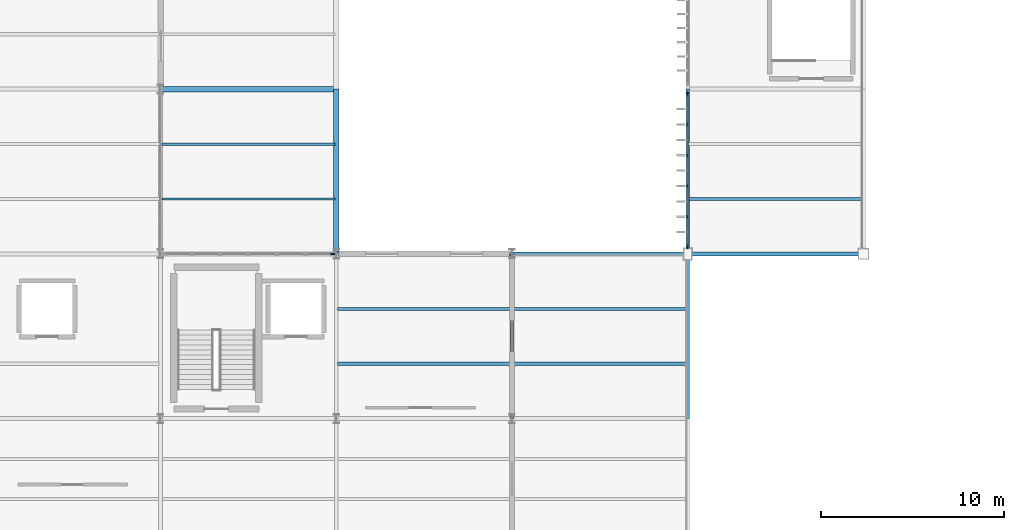
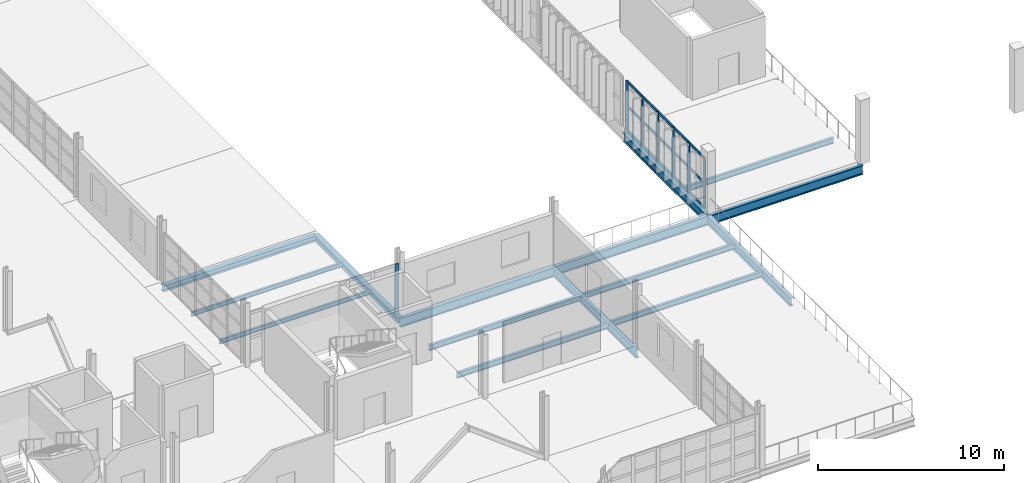
# One storey, part 18 of 82: 22 members, 15 beams, 2 elements without a shape of their own.
"""IFC4 building model written with IfcOpenShell, lengths in metres."""

import ifcopenshell
import ifcopenshell.guid

model = None  # the IFC model being written
_history = None  # IfcOwnerHistory: only IFC2X3 demands one
_inside = {}  # id of a spatial element -> (the spatial element, [elements in it])
_under = {}  # id of a project, library or spatial element -> (it, [spatial elements below it])
_declared = {}  # id of a project -> (the project, [libraries it declares])
_typed = {}  # id of a type object -> (the type object, [elements of that type])
_made_of = {}  # id of a material, layer set ... -> (it, [elements and type objects made of it])


def new_model(schema):
    """Start an empty IFC model of exactly this schema.

    Asked for "IFC4X3", IfcOpenShell would pick the latest addendum, in which some entities
    have other attributes; the version numbers below select the first issue.
    IFC2X3 requires an IfcOwnerHistory on every rooted entity: one is made here for all.
    """
    global model, _history
    if schema == "IFC4X3":
        model = ifcopenshell.file(schema_version=(4, 3, 0, 0))
    else:
        model = ifcopenshell.file(schema=schema)
    _inside.clear()
    _under.clear()
    _declared.clear()
    _typed.clear()
    _made_of.clear()
    _history = None
    if model.schema == "IFC2X3":
        org = make("IfcOrganization", Name="unknown")
        user = make(
            "IfcPersonAndOrganization",
            ThePerson=make("IfcPerson", FamilyName="unknown"),
            TheOrganization=org,
        )
        app = make(
            "IfcApplication",
            ApplicationDeveloper=org,
            Version="unknown",
            ApplicationFullName="unknown",
            ApplicationIdentifier="unknown",
        )
        _history = make(
            "IfcOwnerHistory",
            OwningUser=user,
            OwningApplication=app,
            ChangeAction="ADDED",
            CreationDate=0,
        )
    return model


def make(cls, **values):
    """One entity of the class cls with the attributes given. An attribute that is None is left unset."""
    return model.create_entity(
        cls, **{name: value for name, value in values.items() if value is not None}
    )


def rooted(cls, **values):
    """An entity with a GlobalId (a new one), such as an element, a storey or a relation."""
    return make(cls, GlobalId=ifcopenshell.guid.new(), OwnerHistory=_history, **values)


def si_unit(unit_type, name, prefix=None):
    """IfcSIUnit, for example si_unit("LENGTHUNIT", "METRE", prefix="MILLI")."""
    return make("IfcSIUnit", UnitType=unit_type, Prefix=prefix, Name=name)


def assignment(units):
    """IfcUnitAssignment: the units of a project."""
    return None if units is None else make("IfcUnitAssignment", Units=units)


def point(xyz):
    """IfcCartesianPoint."""
    return None if xyz is None else make("IfcCartesianPoint", Coordinates=xyz)


def direction(xyz):
    """IfcDirection."""
    return None if xyz is None else make("IfcDirection", DirectionRatios=xyz)


def frame(location, z_axis=None, x_axis=None):
    """IfcAxis2Placement3D, a coordinate frame: its origin and axes. An axis left out is left unset."""
    return make(
        "IfcAxis2Placement3D",
        Location=point(location),
        Axis=direction(z_axis),
        RefDirection=direction(x_axis),
    )


def frame_2d(location, x_axis=None):
    """IfcAxis2Placement2D, a coordinate frame in the plane: its origin and x axis."""
    return make(
        "IfcAxis2Placement2D", Location=point(location), RefDirection=direction(x_axis)
    )


def origin():
    """The frame at (0, 0, 0) with its axes left unset."""
    return frame((0.0, 0.0, 0.0))


def origin_2d():
    """The frame at (0, 0) in the plane with its x axis left unset."""
    return frame_2d((0.0, 0.0))


def place(relative_to, where):
    """IfcLocalPlacement: puts the frame where relative to a parent placement (None: the world)."""
    return make(
        "IfcLocalPlacement", PlacementRelTo=relative_to, RelativePlacement=where
    )


def context(
    kind, dimensions, precision=None, world=None, true_north=None, identifier=None
):
    """IfcGeometricRepresentationContext, for example the 3D "Model" context."""
    return make(
        "IfcGeometricRepresentationContext",
        ContextIdentifier=identifier,
        ContextType=kind,
        CoordinateSpaceDimension=dimensions,
        Precision=precision,
        WorldCoordinateSystem=world,
        TrueNorth=true_north,
    )


def subcontext(parent, identifier, kind, view, scale=None):
    """IfcGeometricRepresentationSubContext, for example "Body" below "Model"."""
    return make(
        "IfcGeometricRepresentationSubContext",
        ContextIdentifier=identifier,
        ContextType=kind,
        ParentContext=parent,
        TargetScale=scale,
        TargetView=view,
    )


def project(units=None, contexts=None):
    """IfcProject with its units and contexts."""
    return rooted(
        "IfcProject",
        Name="project",
        RepresentationContexts=contexts,
        UnitsInContext=assignment(units),
    )


def spatial(cls, under=None, at=None, **own):
    """A site, building, storey or space (cls), placed at a placement, below another one or the project."""
    s = rooted(cls, ObjectPlacement=at, **own)
    if under is not None:
        _under.setdefault(under.id(), (under, []))[1].append(s)
    return s


def profile(cls, at=None, kind="AREA", **sizes):
    """A parametric profile (cls). Its sizes go by their IFC names, for example OverallWidth=200.0."""
    return make(cls, ProfileType=kind, Position=at, **sizes)


def rectangle(**sizes):
    """IfcRectangleProfileDef."""
    return profile("IfcRectangleProfileDef", **sizes)


def i_section(**sizes):
    """IfcIShapeProfileDef."""
    return profile("IfcIShapeProfileDef", **sizes)


def extrude(swept, where, along, depth):
    """IfcExtrudedAreaSolid: the profile swept, set in the frame where, extruded along a direction by depth."""
    return make(
        "IfcExtrudedAreaSolid",
        SweptArea=swept,
        Position=where,
        ExtrudedDirection=direction(along),
        Depth=depth,
    )


def shape(context_of_items, identifier, shape_type, items):
    """IfcShapeRepresentation: the items that make up one representation, for example the "Body"."""
    return make(
        "IfcShapeRepresentation",
        ContextOfItems=context_of_items,
        RepresentationIdentifier=identifier,
        RepresentationType=shape_type,
        Items=items,
    )


def material(Name=None, Category=None):
    """IfcMaterial."""
    return make("IfcMaterial", Name=Name, Category=Category)


def layer(
    of_material, thickness, ventilated=None, Name=None, Category=None, Priority=None
):
    """IfcMaterialLayer: one layer of a wall or slab, of a material (None: an air gap)."""
    return make(
        "IfcMaterialLayer",
        Material=of_material,
        LayerThickness=thickness,
        IsVentilated=ventilated,
        Name=Name,
        Category=Category,
        Priority=Priority,
    )


def layer_set(layers, Name=None):
    """IfcMaterialLayerSet."""
    return make("IfcMaterialLayerSet", MaterialLayers=layers, LayerSetName=Name)


def material_profile(
    of_material, cross_section, Name=None, Category=None, Priority=None
):
    """IfcMaterialProfile: a cross section and its material."""
    return make(
        "IfcMaterialProfile",
        Name=Name,
        Material=of_material,
        Profile=cross_section,
        Priority=Priority,
        Category=Category,
    )


def profile_set(profiles, Name=None, composite=None):
    """IfcMaterialProfileSet."""
    return make(
        "IfcMaterialProfileSet",
        Name=Name,
        MaterialProfiles=profiles,
        CompositeProfile=composite,
    )


def made_of(thing, what):
    """Note that an element or type object is made of a material, layer set ...; save() writes the relation."""
    if what is not None:
        _made_of.setdefault(what.id(), (what, []))[1].append(thing)
    return thing


def type_object(cls, material=None, **own):
    """A type object (cls), such as IfcWallType, which elements share."""
    return made_of(rooted(cls, **own), material)


def element(
    cls,
    number,
    at=None,
    inside=None,
    cuts=None,
    type_object=None,
    material=None,
    context=None,
    identifier="Body",
    shape_type=None,
    held_by="IfcProductDefinitionShape",
    body=None,
    shapes=None,
    **own,
):
    """One element of the class cls, such as IfcWall. Its Tag is "e" and its number.

    at: its placement. inside: the storey or other place that contains it. cuts: it is an
    opening in that element (IfcRelVoidsElement). A single representation is given by context,
    identifier, shape_type and body (its items); several are given by shapes. held_by: the class
    of the entity that holds the representations. save() writes the other relations.
    """
    e = rooted(cls, Tag="e%d" % number, ObjectPlacement=at, **own)
    if body is not None:
        shapes = [shape(context, identifier, shape_type, body)]
    if shapes is not None:
        e.Representation = make(held_by, Representations=shapes)
    if inside is not None:
        _inside.setdefault(inside.id(), (inside, []))[1].append(e)
    if cuts is not None:
        rooted(
            "IfcRelVoidsElement", RelatingBuildingElement=cuts, RelatedOpeningElement=e
        )
    if type_object is not None:
        _typed.setdefault(type_object.id(), (type_object, []))[1].append(e)
    return made_of(e, material)


def aggregate(whole, parts):
    """IfcRelAggregates: a whole, such as a stair, and the parts it consists of."""
    return rooted("IfcRelAggregates", RelatingObject=whole, RelatedObjects=parts)


def save(model, path):
    """Write the relations noted so far, then the file.

    IfcRelAggregates (storeys below a building ...), IfcRelContainedInSpatialStructure (elements
    in a storey), IfcRelDefinesByType, IfcRelAssociatesMaterial and IfcRelDeclares: one each for
    every whole, place, type object, material and project.
    """
    for whole, parts in _under.values():
        aggregate(whole, parts)
    for where, things in _inside.values():
        rooted(
            "IfcRelContainedInSpatialStructure",
            RelatedElements=things,
            RelatingStructure=where,
        )
    for kind, things in _typed.values():
        rooted("IfcRelDefinesByType", RelatedObjects=things, RelatingType=kind)
    for what, things in _made_of.values():
        rooted("IfcRelAssociatesMaterial", RelatedObjects=things, RelatingMaterial=what)
    for by, libraries in _declared.values():
        rooted("IfcRelDeclares", RelatingContext=by, RelatedDefinitions=libraries)
    model.write(path)


model = new_model("IFC4")

# Units and contexts
model_context = context("Model", 3, precision=1e-05, world=origin(), true_north=direction((0.0, 1.0)))
body_context = subcontext(model_context, "Body", "Model", "MODEL_VIEW")
ifc_project = project(units=[si_unit("LENGTHUNIT", "METRE"), si_unit("AREAUNIT", "SQUARE_METRE"), si_unit("VOLUMEUNIT", "CUBIC_METRE"), si_unit("PLANEANGLEUNIT", "RADIAN"), si_unit("MASSUNIT", "GRAM", prefix="KILO")], contexts=[model_context])

# Site, building, storey
site_placement = place(None, origin())
site = spatial("IfcSite", under=ifc_project, at=site_placement, CompositionType="ELEMENT")
building_placement = place(site_placement, origin())
building = spatial("IfcBuilding", under=site, at=building_placement, Name="Zarnetskaya Central Station", CompositionType="ELEMENT")
storey_placement = place(building_placement, frame((0.0, 0.0, 10.199951171875)))
storey = spatial("IfcBuildingStorey", under=building, at=storey_placement, Name="L02", CompositionType="ELEMENT", Elevation=10.199951171875)

# Beams
ifc_material_1 = material(Name="Steel S355", Category="steel")
ifc_material_profile_1 = material_profile(ifc_material_1, i_section(OverallWidth=0.135009765625, OverallDepth=0.27001953125, WebThickness=0.006591796875, FlangeThickness=0.01025390625, FilletRadius=0.014892578125, at=origin_2d()), Name="IPE 270")
ifc_profile_set_1 = profile_set([ifc_material_profile_1], Name="Steel S355")
beam_type_1 = type_object("IfcBeamType", Name="BM-JST-270", PredefinedType="JOIST", material=ifc_profile_set_1)
for number, where, z_axis, x_axis, name in (
    (1, (28.8798828125, 25.199951171875, -0.344970703125), (1.0, 0.0, 0.0), (0.0, 1.0, 0.0), "Secondary floor beam SEC-L02-Z999-DE-45-1"),
    (2, (28.8798828125, 28.199951171875, -0.344970703125), (1.0, 0.0, 0.0), (0.0, 1.0, 0.0), "Secondary floor beam SEC-L02-Z999-DE-45-2"),
):
    element("IfcBeam", number, at=place(storey_placement, frame(where, z_axis=z_axis, x_axis=x_axis)), inside=storey, type_object=beam_type_1, Name=name, PredefinedType="JOIST", context=body_context, shape_type="SweptSolid", body=[
        extrude(i_section(OverallWidth=0.135009765625, OverallDepth=0.27001953125, WebThickness=0.006591796875, FlangeThickness=0.01025390625, FilletRadius=0.014892578125, at=origin_2d()), origin(), (0.0, 0.0, 1.0), 9.440185546875),
    ])
ifc_material_profile_2 = material_profile(ifc_material_1, i_section(OverallWidth=0.169921875, OverallDepth=0.360107421875, WebThickness=0.008056640625, FlangeThickness=0.0126953125, FilletRadius=0.01806640625, at=origin_2d()), Name="IPE 360")
ifc_profile_set_2 = profile_set([ifc_material_profile_2], Name="Steel S355")
beam_type_2 = type_object("IfcBeamType", Name="BM-SEC-360", PredefinedType="BEAM", material=ifc_profile_set_2)
for number, where, z_axis, x_axis, name in (
    (3, (38.47998046875, 16.199951171875, -0.43994140625), (1.0, 0.0, 0.0), (0.0, 1.0, 0.0), "Secondary floor beam SEC-L02-Z994-EF-34-1"),
    (4, (38.47998046875, 19.199951171875, -0.43994140625), (1.0, 0.0, 0.0), (0.0, 1.0, 0.0), "Secondary floor beam SEC-L02-Z994-EF-34-2"),
    (5, (48.080078125, 16.199951171875, -0.39990234375), (1.0, 0.0, 0.0), (0.0, 1.0, 0.0), "Secondary floor beam SEC-L02-Z998-FG-34-1"),
    (6, (48.080078125, 19.199951171875, -0.39990234375), (1.0, 0.0, 0.0), (0.0, 1.0, 0.0), "Secondary floor beam SEC-L02-Z998-FG-34-2"),
):
    element("IfcBeam", number, at=place(storey_placement, frame(where, z_axis=z_axis, x_axis=x_axis)), inside=storey, type_object=beam_type_2, Name=name, PredefinedType="BEAM", context=body_context, shape_type="SweptSolid", body=[
        extrude(i_section(OverallWidth=0.169921875, OverallDepth=0.360107421875, WebThickness=0.008056640625, FlangeThickness=0.0126953125, FilletRadius=0.01806640625, at=origin_2d()), origin(), (0.0, 0.0, 1.0), 9.43994140625),
    ])
beam_1_placement = place(storey_placement, frame((57.679931640625, 25.199951171875, -0.43994140625), z_axis=(1.0, 0.0, 0.0), x_axis=(0.0, 1.0, 0.0)))
element("IfcBeam", 7, at=beam_1_placement, inside=storey, type_object=beam_type_2, Name="Secondary floor beam SEC-L02-Z994-GH-45-1", PredefinedType="BEAM", context=body_context, shape_type="SweptSolid", body=[
    extrude(i_section(OverallWidth=0.169921875, OverallDepth=0.360107421875, WebThickness=0.008056640625, FlangeThickness=0.0126953125, FilletRadius=0.01806640625, at=origin_2d()), origin(), (0.0, 0.0, 1.0), 9.440185546875),
])

# Curtain wall, member
ifc_material_2 = material(Name="Low-E insulated glass", Category="glass")
ifc_layer_1 = layer(ifc_material_2, 0.172119140625, Name="Low-E insulated glass", Category="glass")
ifc_layer_set_1 = layer_set([ifc_layer_1], Name="Low-E insulated glass")
curtain_wall_type_1 = type_object("IfcCurtainWallType", Name="CW-SYS-04", PredefinedType="USERDEFINED", material=ifc_layer_set_1)
curtain_wall_1_placement = place(storey_placement, origin())
curtain_wall_1 = element("IfcCurtainWall", 8, at=curtain_wall_1_placement, inside=storey, type_object=curtain_wall_type_1, Name="Curtain wall CW-L02-024", ObjectType="CURTAIN WALL", PredefinedType="USERDEFINED")
ifc_material_3 = material(Name="Anodised aluminium", Category="aluminium")
ifc_material_profile_3 = material_profile(ifc_material_3, rectangle(XDim=0.080078125, YDim=0.219970703125, at=origin_2d()), Name="ALU MULL 80x220")
ifc_profile_set_3 = profile_set([ifc_material_profile_3], Name="Anodised aluminium")
member_type_1 = type_object("IfcMemberType", Name="CW-MULL-220", PredefinedType="MULLION", material=ifc_profile_set_3)
member_1_placement = place(storey_placement, frame((38.2099609375, 22.199951171875, 0.0), z_axis=(0.0, 0.0, 1.0), x_axis=(0.0, 1.0, 0.0)))
member_1 = element("IfcMember", 9, at=member_1_placement, type_object=member_type_1, Name="CW-15 mullion 7", PredefinedType="MULLION", context=body_context, shape_type="SweptSolid", body=[
    extrude(rectangle(XDim=0.080078125, YDim=0.219970703125, at=origin_2d()), origin(), (0.0, 0.0, 1.0), 3.35009765625),
])
aggregate(curtain_wall_1, [member_1])

# Curtain wall, members
ifc_layer_2 = layer(ifc_material_2, 0.176025390625, Name="Low-E insulated glass", Category="glass")
ifc_layer_set_2 = layer_set([ifc_layer_2], Name="Low-E insulated glass")
curtain_wall_type_2 = type_object("IfcCurtainWallType", Name="CW-SYS-15", PredefinedType="USERDEFINED", material=ifc_layer_set_2)
curtain_wall_2_placement = place(storey_placement, origin())
curtain_wall_2 = element("IfcCurtainWall", 10, at=curtain_wall_2_placement, inside=storey, type_object=curtain_wall_type_2, Name="Curtain wall CW-L02-088", ObjectType="CURTAIN WALL", PredefinedType="USERDEFINED")
member_2_placement = place(storey_placement, frame((57.60009765625, 22.590087890625, 0.0), z_axis=(0.0, 0.0, 1.0), x_axis=(-1.0, 0.0, 0.0)))
member_2 = element("IfcMember", 11, at=member_2_placement, type_object=member_type_1, Name="CW-05 mullion 1", PredefinedType="MULLION", context=body_context, shape_type="SweptSolid", body=[
    extrude(rectangle(XDim=0.080078125, YDim=0.219970703125, at=origin_2d()), origin(), (0.0, 0.0, 1.0), 3.300048828125),
])
member_3_placement = place(storey_placement, frame((57.60009765625, 24.22998046875, 0.0), z_axis=(0.0, 0.0, 1.0), x_axis=(-1.0, 0.0, 0.0)))
member_3 = element("IfcMember", 12, at=member_3_placement, type_object=member_type_1, Name="CW-05 mullion 2", PredefinedType="MULLION", context=body_context, shape_type="SweptSolid", body=[
    extrude(rectangle(XDim=0.080078125, YDim=0.219970703125, at=origin_2d()), origin(), (0.0, 0.0, 1.0), 3.300048828125),
])
member_4_placement = place(storey_placement, frame((57.60009765625, 25.909912109375, 0.0), z_axis=(0.0, 0.0, 1.0), x_axis=(-1.0, 0.0, 0.0)))
member_4 = element("IfcMember", 13, at=member_4_placement, type_object=member_type_1, Name="CW-05 mullion 3", PredefinedType="MULLION", context=body_context, shape_type="SweptSolid", body=[
    extrude(rectangle(XDim=0.080078125, YDim=0.219970703125, at=origin_2d()), origin(), (0.0, 0.0, 1.0), 3.300048828125),
])
member_5_placement = place(storey_placement, frame((57.60009765625, 27.590087890625, 0.0), z_axis=(0.0, 0.0, 1.0), x_axis=(-1.0, 0.0, 0.0)))
member_5 = element("IfcMember", 14, at=member_5_placement, type_object=member_type_1, Name="CW-05 mullion 4", PredefinedType="MULLION", context=body_context, shape_type="SweptSolid", body=[
    extrude(rectangle(XDim=0.080078125, YDim=0.219970703125, at=origin_2d()), origin(), (0.0, 0.0, 1.0), 3.300048828125),
])
member_6_placement = place(storey_placement, frame((57.60009765625, 29.27001953125, 0.0), z_axis=(0.0, 0.0, 1.0), x_axis=(-1.0, 0.0, 0.0)))
member_6 = element("IfcMember", 15, at=member_6_placement, type_object=member_type_1, Name="CW-05 mullion 5", PredefinedType="MULLION", context=body_context, shape_type="SweptSolid", body=[
    extrude(rectangle(XDim=0.080078125, YDim=0.219970703125, at=origin_2d()), origin(), (0.0, 0.0, 1.0), 3.300048828125),
])
member_7_placement = place(storey_placement, frame((57.60009765625, 30.909912109375, 0.0), z_axis=(0.0, 0.0, 1.0), x_axis=(-1.0, 0.0, 0.0)))
member_7 = element("IfcMember", 16, at=member_7_placement, type_object=member_type_1, Name="CW-05 mullion 6", PredefinedType="MULLION", context=body_context, shape_type="SweptSolid", body=[
    extrude(rectangle(XDim=0.080078125, YDim=0.219970703125, at=origin_2d()), origin(), (0.0, 0.0, 1.0), 3.300048828125),
])
ifc_material_profile_4 = material_profile(ifc_material_3, rectangle(XDim=0.080078125, YDim=0.159912109375, at=origin_2d()), Name="ALU TRAN 80x160")
ifc_profile_set_4 = profile_set([ifc_material_profile_4], Name="Anodised aluminium")
member_type_2 = type_object("IfcMemberType", Name="CW-TRAN-160", PredefinedType="USERDEFINED", material=ifc_profile_set_4)
member_8_placement = place(storey_placement, frame((57.60009765625, 22.6298828125, 0.0400390625), z_axis=(0.0, 1.0, 0.0), x_axis=(-1.0, 0.0, 0.0)))
member_8 = element("IfcMember", 17, at=member_8_placement, type_object=member_type_2, Name="CW-05 transom 1.1", ObjectType="TRANSOM", PredefinedType="USERDEFINED", context=body_context, shape_type="SweptSolid", body=[
    extrude(rectangle(XDim=0.080078125, YDim=0.159912109375, at=origin_2d()), origin(), (0.0, 0.0, 1.0), 1.56005859375),
])
member_9_placement = place(storey_placement, frame((57.60009765625, 22.6298828125, 1.650146484375), z_axis=(0.0, 1.0, 0.0), x_axis=(-1.0, 0.0, 0.0)))
member_9 = element("IfcMember", 18, at=member_9_placement, type_object=member_type_2, Name="CW-05 transom 1.2", ObjectType="TRANSOM", PredefinedType="USERDEFINED", context=body_context, shape_type="SweptSolid", body=[
    extrude(rectangle(XDim=0.080078125, YDim=0.159912109375, at=origin_2d()), origin(), (0.0, 0.0, 1.0), 1.56005859375),
])
member_10_placement = place(storey_placement, frame((57.60009765625, 22.6298828125, 3.260009765625), z_axis=(0.0, 1.0, 0.0), x_axis=(-1.0, 0.0, 0.0)))
member_10 = element("IfcMember", 19, at=member_10_placement, type_object=member_type_2, Name="CW-05 transom 1.3", ObjectType="TRANSOM", PredefinedType="USERDEFINED", context=body_context, shape_type="SweptSolid", body=[
    extrude(rectangle(XDim=0.080078125, YDim=0.159912109375, at=origin_2d()), origin(), (0.0, 0.0, 1.0), 1.56005859375),
])
member_11_placement = place(storey_placement, frame((57.60009765625, 24.27001953125, 0.0400390625), z_axis=(0.0, 1.0, 0.0), x_axis=(-1.0, 0.0, 0.0)))
member_11 = element("IfcMember", 20, at=member_11_placement, type_object=member_type_2, Name="CW-05 transom 2.1", ObjectType="TRANSOM", PredefinedType="USERDEFINED", context=body_context, shape_type="SweptSolid", body=[
    extrude(rectangle(XDim=0.080078125, YDim=0.159912109375, at=origin_2d()), origin(), (0.0, 0.0, 1.0), 1.60009765625),
])
member_12_placement = place(storey_placement, frame((57.60009765625, 24.27001953125, 1.650146484375), z_axis=(0.0, 1.0, 0.0), x_axis=(-1.0, 0.0, 0.0)))
member_12 = element("IfcMember", 21, at=member_12_placement, type_object=member_type_2, Name="CW-05 transom 2.2", ObjectType="TRANSOM", PredefinedType="USERDEFINED", context=body_context, shape_type="SweptSolid", body=[
    extrude(rectangle(XDim=0.080078125, YDim=0.159912109375, at=origin_2d()), origin(), (0.0, 0.0, 1.0), 1.60009765625),
])
member_13_placement = place(storey_placement, frame((57.60009765625, 24.27001953125, 3.260009765625), z_axis=(0.0, 1.0, 0.0), x_axis=(-1.0, 0.0, 0.0)))
member_13 = element("IfcMember", 22, at=member_13_placement, type_object=member_type_2, Name="CW-05 transom 2.3", ObjectType="TRANSOM", PredefinedType="USERDEFINED", context=body_context, shape_type="SweptSolid", body=[
    extrude(rectangle(XDim=0.080078125, YDim=0.159912109375, at=origin_2d()), origin(), (0.0, 0.0, 1.0), 1.60009765625),
])
member_14_placement = place(storey_placement, frame((57.60009765625, 25.949951171875, 0.0400390625), z_axis=(0.0, 1.0, 0.0), x_axis=(-1.0, 0.0, 0.0)))
member_14 = element("IfcMember", 23, at=member_14_placement, type_object=member_type_2, Name="CW-05 transom 3.1", ObjectType="TRANSOM", PredefinedType="USERDEFINED", context=body_context, shape_type="SweptSolid", body=[
    extrude(rectangle(XDim=0.080078125, YDim=0.159912109375, at=origin_2d()), origin(), (0.0, 0.0, 1.0), 1.60009765625),
])
member_15_placement = place(storey_placement, frame((57.60009765625, 25.949951171875, 1.650146484375), z_axis=(0.0, 1.0, 0.0), x_axis=(-1.0, 0.0, 0.0)))
member_15 = element("IfcMember", 24, at=member_15_placement, type_object=member_type_2, Name="CW-05 transom 3.2", ObjectType="TRANSOM", PredefinedType="USERDEFINED", context=body_context, shape_type="SweptSolid", body=[
    extrude(rectangle(XDim=0.080078125, YDim=0.159912109375, at=origin_2d()), origin(), (0.0, 0.0, 1.0), 1.60009765625),
])
member_16_placement = place(storey_placement, frame((57.60009765625, 25.949951171875, 3.260009765625), z_axis=(0.0, 1.0, 0.0), x_axis=(-1.0, 0.0, 0.0)))
member_16 = element("IfcMember", 25, at=member_16_placement, type_object=member_type_2, Name="CW-05 transom 3.3", ObjectType="TRANSOM", PredefinedType="USERDEFINED", context=body_context, shape_type="SweptSolid", body=[
    extrude(rectangle(XDim=0.080078125, YDim=0.159912109375, at=origin_2d()), origin(), (0.0, 0.0, 1.0), 1.60009765625),
])
member_17_placement = place(storey_placement, frame((57.60009765625, 27.6298828125, 0.0400390625), z_axis=(0.0, 1.0, 0.0), x_axis=(-1.0, 0.0, 0.0)))
member_17 = element("IfcMember", 26, at=member_17_placement, type_object=member_type_2, Name="CW-05 transom 4.1", ObjectType="TRANSOM", PredefinedType="USERDEFINED", context=body_context, shape_type="SweptSolid", body=[
    extrude(rectangle(XDim=0.080078125, YDim=0.159912109375, at=origin_2d()), origin(), (0.0, 0.0, 1.0), 1.60009765625),
])
member_18_placement = place(storey_placement, frame((57.60009765625, 27.6298828125, 1.650146484375), z_axis=(0.0, 1.0, 0.0), x_axis=(-1.0, 0.0, 0.0)))
member_18 = element("IfcMember", 27, at=member_18_placement, type_object=member_type_2, Name="CW-05 transom 4.2", ObjectType="TRANSOM", PredefinedType="USERDEFINED", context=body_context, shape_type="SweptSolid", body=[
    extrude(rectangle(XDim=0.080078125, YDim=0.159912109375, at=origin_2d()), origin(), (0.0, 0.0, 1.0), 1.60009765625),
])
member_19_placement = place(storey_placement, frame((57.60009765625, 27.6298828125, 3.260009765625), z_axis=(0.0, 1.0, 0.0), x_axis=(-1.0, 0.0, 0.0)))
member_19 = element("IfcMember", 28, at=member_19_placement, type_object=member_type_2, Name="CW-05 transom 4.3", ObjectType="TRANSOM", PredefinedType="USERDEFINED", context=body_context, shape_type="SweptSolid", body=[
    extrude(rectangle(XDim=0.080078125, YDim=0.159912109375, at=origin_2d()), origin(), (0.0, 0.0, 1.0), 1.60009765625),
])
member_20_placement = place(storey_placement, frame((57.60009765625, 29.31005859375, 0.0400390625), z_axis=(0.0, 1.0, 0.0), x_axis=(-1.0, 0.0, 0.0)))
member_20 = element("IfcMember", 29, at=member_20_placement, type_object=member_type_2, Name="CW-05 transom 5.1", ObjectType="TRANSOM", PredefinedType="USERDEFINED", context=body_context, shape_type="SweptSolid", body=[
    extrude(rectangle(XDim=0.080078125, YDim=0.159912109375, at=origin_2d()), origin(), (0.0, 0.0, 1.0), 1.56005859375),
])
member_21_placement = place(storey_placement, frame((57.60009765625, 29.31005859375, 1.650146484375), z_axis=(0.0, 1.0, 0.0), x_axis=(-1.0, 0.0, 0.0)))
member_21 = element("IfcMember", 30, at=member_21_placement, type_object=member_type_2, Name="CW-05 transom 5.2", ObjectType="TRANSOM", PredefinedType="USERDEFINED", context=body_context, shape_type="SweptSolid", body=[
    extrude(rectangle(XDim=0.080078125, YDim=0.159912109375, at=origin_2d()), origin(), (0.0, 0.0, 1.0), 1.56005859375),
])
member_22_placement = place(storey_placement, frame((57.60009765625, 29.31005859375, 3.260009765625), z_axis=(0.0, 1.0, 0.0), x_axis=(-1.0, 0.0, 0.0)))
member_22 = element("IfcMember", 31, at=member_22_placement, type_object=member_type_2, Name="CW-05 transom 5.3", ObjectType="TRANSOM", PredefinedType="USERDEFINED", context=body_context, shape_type="SweptSolid", body=[
    extrude(rectangle(XDim=0.080078125, YDim=0.159912109375, at=origin_2d()), origin(), (0.0, 0.0, 1.0), 1.56005859375),
])
aggregate(curtain_wall_2, [member_2, member_3, member_4, member_5, member_6, member_7, member_8, member_9, member_10, member_11, member_12, member_13, member_14, member_15, member_16, member_17, member_18, member_19, member_20, member_21, member_22])

# Beams
ifc_material_profile_5 = material_profile(ifc_material_1, i_section(OverallWidth=0.2099609375, OverallDepth=0.550048828125, WebThickness=0.010986328125, FlangeThickness=0.01708984375, FilletRadius=0.02392578125, at=origin_2d()), Name="IPE 550")
ifc_profile_set_5 = profile_set([ifc_material_profile_5], Name="Steel S355")
beam_type_3 = type_object("IfcBeamType", Name="GD-FLR-550", PredefinedType="USERDEFINED", material=ifc_profile_set_5)
for number, where, z_axis, x_axis, name in (
    (32, (48.0, 13.199951171875, -0.534912109375), (0.0, 1.0, 0.0), (-1.0, 0.0, 0.0), "Grid girder GY-L02-F-34"),
    (33, (57.60009765625, 13.199951171875, -0.494873046875), (0.0, 1.0, 0.0), (-1.0, 0.0, 0.0), "Grid girder GY-L02-G-34"),
    (34, (57.60009765625, 22.199951171875, -0.534912109375), (0.0, 1.0, 0.0), (-1.0, 0.0, 0.0), "Grid girder GY-L02-G-45"),
):
    element("IfcBeam", number, at=place(storey_placement, frame(where, z_axis=z_axis, x_axis=x_axis)), inside=storey, type_object=beam_type_3, Name=name, ObjectType="GIRDER", PredefinedType="USERDEFINED", context=body_context, shape_type="SweptSolid", body=[
        extrude(i_section(OverallWidth=0.2099609375, OverallDepth=0.550048828125, WebThickness=0.010986328125, FlangeThickness=0.01708984375, FilletRadius=0.02392578125, at=origin_2d()), origin(), (0.0, 0.0, 1.0), 9.0),
    ])
ifc_material_profile_6 = material_profile(ifc_material_1, i_section(OverallWidth=0.219970703125, OverallDepth=0.60009765625, WebThickness=0.011962890625, FlangeThickness=0.01904296875, FilletRadius=0.02392578125, at=origin_2d()), Name="IPE 600")
ifc_profile_set_6 = profile_set([ifc_material_profile_6], Name="Steel S355")
beam_type_4 = type_object("IfcBeamType", Name="GD-FLR-600", PredefinedType="USERDEFINED", material=ifc_profile_set_6)
for number, where, z_axis, x_axis, name in (
    (35, (38.39990234375, 22.199951171875, -0.56005859375), (1.0, 0.0, 0.0), (0.0, 1.0, 0.0), "Grid girder GX-L02-4-EF"),
    (36, (48.0, 22.199951171875, -0.52001953125), (1.0, 0.0, 0.0), (0.0, 1.0, 0.0), "Grid girder GX-L02-4-FG"),
):
    element("IfcBeam", number, at=place(storey_placement, frame(where, z_axis=z_axis, x_axis=x_axis)), inside=storey, type_object=beam_type_4, Name=name, ObjectType="GIRDER", PredefinedType="USERDEFINED", context=body_context, shape_type="SweptSolid", body=[
        extrude(i_section(OverallWidth=0.219970703125, OverallDepth=0.60009765625, WebThickness=0.011962890625, FlangeThickness=0.01904296875, FilletRadius=0.02392578125, at=origin_2d()), origin(), (0.0, 0.0, 1.0), 9.60009765625),
    ])
beam_2_placement = place(storey_placement, frame((57.60009765625, 22.199951171875, -0.56005859375), z_axis=(1.0, 0.0, 0.0), x_axis=(0.0, 1.0, 0.0)))
element("IfcBeam", 37, at=beam_2_placement, inside=storey, type_object=beam_type_4, Name="Grid girder GX-L02-4-GH", ObjectType="GIRDER", PredefinedType="USERDEFINED", context=body_context, shape_type="SweptSolid", body=[
    extrude(i_section(OverallWidth=0.219970703125, OverallDepth=0.60009765625, WebThickness=0.011962890625, FlangeThickness=0.01904296875, FilletRadius=0.02392578125, at=origin_2d()), origin(), (0.0, 0.0, 1.0), 9.599853515625),
])
ifc_material_profile_7 = material_profile(ifc_material_1, i_section(OverallWidth=0.300048828125, OverallDepth=0.389892578125, WebThickness=0.010986328125, FlangeThickness=0.01904296875, FilletRadius=0.027099609375, at=origin_2d()), Name="HEA 400")
ifc_profile_set_7 = profile_set([ifc_material_profile_7], Name="Steel S355")
beam_type_5 = type_object("IfcBeamType", Name="GD-ROOF-400", PredefinedType="USERDEFINED", material=ifc_profile_set_7)
beam_3_placement = place(storey_placement, frame((28.800048828125, 31.199951171875, -0.405029296875), z_axis=(1.0, 0.0, 0.0), x_axis=(0.0, 1.0, 0.0)))
element("IfcBeam", 38, at=beam_3_placement, inside=storey, type_object=beam_type_5, Name="Grid girder GX-L02-5-DE", ObjectType="GIRDER", PredefinedType="USERDEFINED", context=body_context, shape_type="SweptSolid", body=[
    extrude(i_section(OverallWidth=0.300048828125, OverallDepth=0.389892578125, WebThickness=0.010986328125, FlangeThickness=0.01904296875, FilletRadius=0.027099609375, at=origin_2d()), origin(), (0.0, 0.0, 1.0), 9.599853515625),
])
beam_4_placement = place(storey_placement, frame((38.39990234375, 22.199951171875, -0.405029296875), z_axis=(0.0, 1.0, 0.0), x_axis=(-1.0, 0.0, 0.0)))
element("IfcBeam", 39, at=beam_4_placement, inside=storey, type_object=beam_type_5, Name="Grid girder GY-L02-E-45", ObjectType="GIRDER", PredefinedType="USERDEFINED", context=body_context, shape_type="SweptSolid", body=[
    extrude(i_section(OverallWidth=0.300048828125, OverallDepth=0.389892578125, WebThickness=0.010986328125, FlangeThickness=0.01904296875, FilletRadius=0.027099609375, at=origin_2d()), origin(), (0.0, 0.0, 1.0), 9.0),
])

save(model, "model.ifc")
